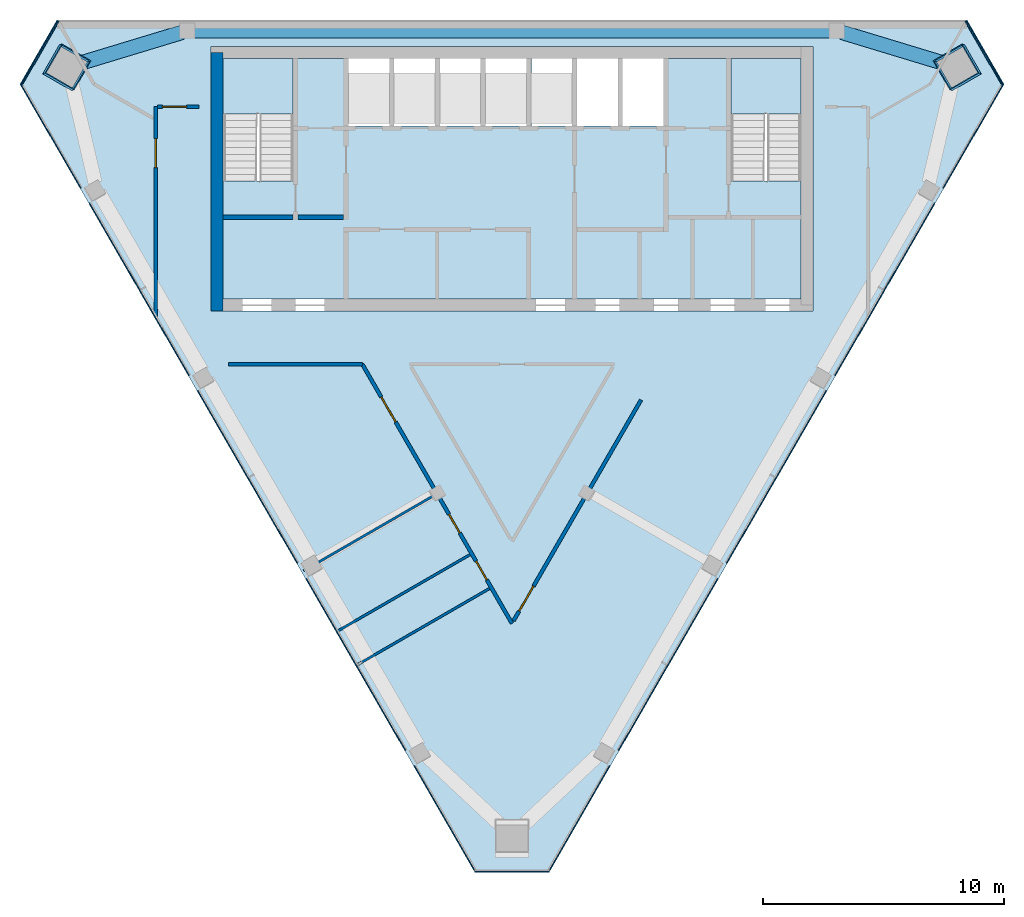
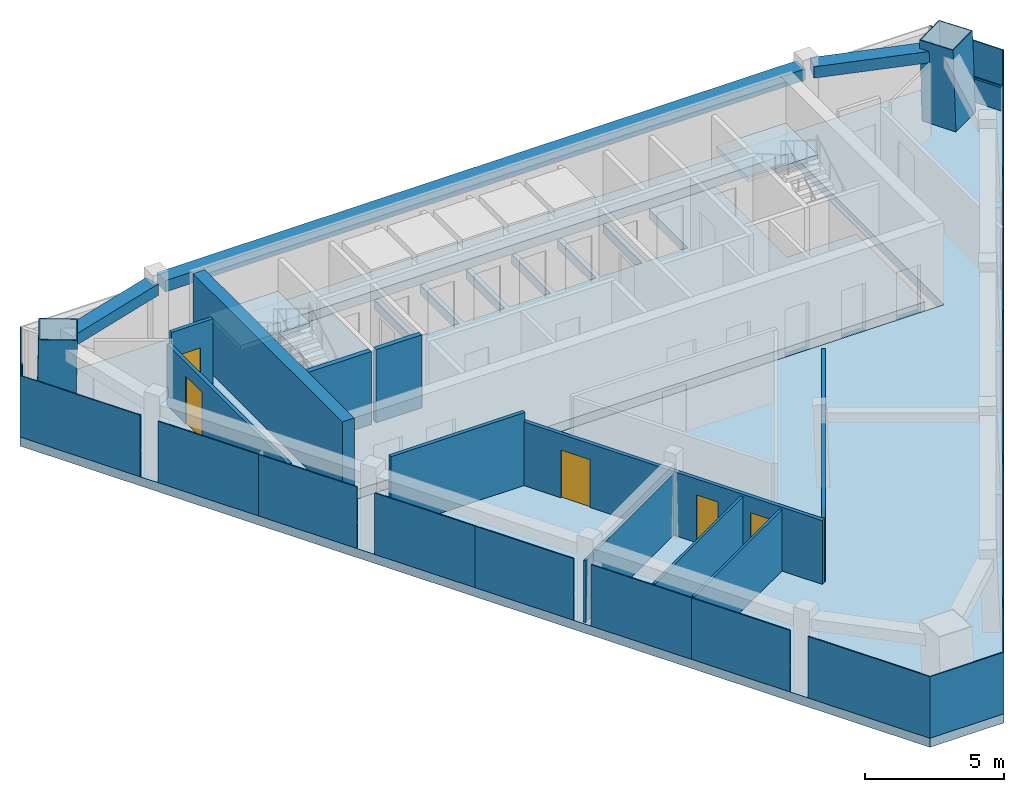
# One storey, part 5 of 9: 19 plates, 11 walls, 6 doors, 4 members, 4 slabs, 3 beams, 6 openings, 7 elements without a shape of their own.
"""IFC4 building model written with IfcOpenShell, lengths in metres."""

from ifc_helpers import new_model, si_unit, direction, frame, frame_2d, origin, origin_2d, place, context, subcontext, project, spatial, polyline, rectangle, hollow_rectangle, outline, extrude, material, layer, layer_set, material_profile, profile_set, type_object, element, fill, aggregate, save


model = new_model("IFC4")

# Units and contexts
model_context = context("Model", 3, precision=1e-05, world=origin(), true_north=direction((0.0, 1.0)))
body_context = subcontext(model_context, "Body", "Model", "MODEL_VIEW")
ifc_project = project(units=[si_unit("LENGTHUNIT", "METRE"), si_unit("AREAUNIT", "SQUARE_METRE"), si_unit("VOLUMEUNIT", "CUBIC_METRE"), si_unit("PLANEANGLEUNIT", "RADIAN"), si_unit("MASSUNIT", "GRAM", prefix="KILO")], contexts=[model_context])

# Site, building, storey
site_placement = place(None, origin())
site = spatial("IfcSite", under=ifc_project, at=site_placement, CompositionType="ELEMENT")
building_placement = place(site_placement, origin())
building = spatial("IfcBuilding", under=site, at=building_placement, Name="Altiplano Prism Tower", CompositionType="ELEMENT")
storey_placement = place(building_placement, frame((0.0, 0.0, 350.800048828125)))
storey = spatial("IfcBuildingStorey", under=building, at=storey_placement, Name="L91", CompositionType="ELEMENT", Elevation=350.800048828125)

# Curtain wall, member
ifc_material_1 = material(Name="Aluminium and glass", Category="aluminium")
ifc_layer_1 = layer(ifc_material_1, 0.303955078125)
ifc_layer_set_1 = layer_set([ifc_layer_1], Name="Aluminium and glass")
curtain_wall_type = type_object("IfcCurtainWallType", Name="CW2 lounge-band unitised glazing", PredefinedType="NOTDEFINED", material=ifc_layer_set_1)
curtain_wall_1_placement = place(storey_placement, origin())
curtain_wall_1 = element("IfcCurtainWall", 1, at=curtain_wall_1_placement, inside=storey, type_object=curtain_wall_type, Name="CW2 curtain wall north-west chamfer L91", PredefinedType="NOTDEFINED")
ifc_material_2 = material(Name="Aluminium", Category="aluminium")
ifc_material_profile_1 = material_profile(ifc_material_2, rectangle(XDim=0.06005859375, YDim=0.080078125, at=origin_2d()), Name="CW2 transom 80 x 60")
ifc_profile_set_1 = profile_set([ifc_material_profile_1], Name="Aluminium")
member_type_1 = type_object("IfcMemberType", Name="CW2 transom 80 x 60", PredefinedType="USERDEFINED", material=ifc_profile_set_1)
member_1_placement = place(storey_placement, frame((66.1572265625, 104.962890625, 1.099853515625), z_axis=(-0.500047557843, -0.86599794451, 0.0), x_axis=(0.86599794451, -0.500047557843, 0.0)))
member_1 = element("IfcMember", 2, at=member_1_placement, type_object=member_type_1, Name="CW2 transom", ObjectType="TRANSOM", PredefinedType="USERDEFINED", context=body_context, shape_type="SweptSolid", body=[
    extrude(rectangle(XDim=0.06005859375, YDim=0.080078125, at=origin_2d()), origin(), (0.0, 0.0, 1.0), 3.076904296875),
])

curtain_wall_2_placement = place(storey_placement, origin())
curtain_wall_2 = element("IfcCurtainWall", 3, at=curtain_wall_2_placement, inside=storey, type_object=curtain_wall_type, Name="CW2 curtain wall north-east chamfer L91", PredefinedType="NOTDEFINED")
member_2_placement = place(storey_placement, frame((105.38134765625, 102.29833984375, 1.099853515625), z_axis=(-0.500047557843, 0.86599794451, 0.0), x_axis=(-0.86599794451, -0.500047557843, 0.0)))
member_2 = element("IfcMember", 4, at=member_2_placement, type_object=member_type_1, Name="CW2 transom", ObjectType="TRANSOM", PredefinedType="USERDEFINED", context=body_context, shape_type="SweptSolid", body=[
    extrude(rectangle(XDim=0.06005859375, YDim=0.080078125, at=origin_2d()), origin(), (0.0, 0.0, 1.0), 3.076904296875),
])

# Beams
ifc_material_3 = material(Name="Concrete C60/75", Category="concrete")
ifc_material_profile_2 = material_profile(ifc_material_3, rectangle(XDim=0.60009765625, YDim=0.5, at=origin_2d()), Name="Edge beam 600x500")
ifc_profile_set_2 = profile_set([ifc_material_profile_2], Name="Concrete C60/75")
beam_type = type_object("IfcBeamType", Name="Edge beam 600x500", PredefinedType="SPANDREL", material=ifc_profile_set_2)
beam_1_placement = place(storey_placement, frame((103.017333984375, 103.181396484375, 2.949951171875), z_axis=(-0.957040371648, 0.289954698246, 0.0), x_axis=(-0.289954698246, -0.957040371648, 0.0)))
element("IfcBeam", 5, at=beam_1_placement, inside=storey, type_object=beam_type, Name="Edge beam M2-P01 L92", PredefinedType="SPANDREL", context=body_context, shape_type="SweptSolid", body=[
    extrude(rectangle(XDim=0.60009765625, YDim=0.5, at=origin_2d()), origin(), (0.0, 0.0, 1.0), 4.50048828125),
])
beam_2_placement = place(storey_placement, frame((98.294921875, 104.550048828125, 2.949951171875), z_axis=(-1.0, 0.0, 0.0), x_axis=(0.0, -1.0, 0.0)))
element("IfcBeam", 6, at=beam_2_placement, inside=storey, type_object=beam_type, Name="Edge beam P01-P04 L92", PredefinedType="SPANDREL", context=body_context, shape_type="SweptSolid", body=[
    extrude(rectangle(XDim=0.60009765625, YDim=0.5, at=origin_2d()), origin(), (0.0, 0.0, 1.0), 26.58984375),
])
beam_3_placement = place(storey_placement, frame((71.289794921875, 104.486328125, 2.949951171875), z_axis=(-0.957040371648, -0.289954698246, 0.0), x_axis=(0.289954698246, -0.957040371648, 0.0)))
element("IfcBeam", 7, at=beam_3_placement, inside=storey, type_object=beam_type, Name="Edge beam P04-M0 L92", PredefinedType="SPANDREL", context=body_context, shape_type="SweptSolid", body=[
    extrude(rectangle(XDim=0.60009765625, YDim=0.5, at=origin_2d()), origin(), (0.0, 0.0, 1.0), 4.50048828125),
])

# Members
ifc_material_4 = material(Name="Steel S460", Category="steel")
ifc_material_profile_3 = material_profile(ifc_material_4, hollow_rectangle(XDim=1.39990234375, YDim=1.39990234375, WallThickness=0.0400390625, at=origin_2d()), Name="Mega column tube 1400")
ifc_profile_set_3 = profile_set([ifc_material_profile_3], Name="Steel S460")
member_type_2 = type_object("IfcMemberType", Name="Mega column tube 1400", PredefinedType="POST", material=ifc_profile_set_3)
for number, where, z_axis, x_axis, name in (
    (8, (66.44970703125, 103.017578125, 0.0), (0.028403721265, 0.009287135593, 0.999553389135), (-0.866198986699, 0.499299819348, 0.019975130565), "Mega column tube M0 L91"),
    (9, (103.55029296875, 103.017578125, 0.0), (-0.028403721265, 0.009287135593, 0.999553389135), (0.498891314878, -0.866379500861, 0.022226480336), "Mega column tube M2 L91"),
):
    element("IfcMember", number, at=place(storey_placement, frame(where, z_axis=z_axis, x_axis=x_axis)), inside=storey, type_object=member_type_2, Name=name, PredefinedType="POST", context=body_context, shape_type="SweptSolid", body=[
        extrude(hollow_rectangle(XDim=1.39990234375, YDim=1.39990234375, WallThickness=0.0400390625, at=origin_2d()), origin(), (0.0, 0.0, 1.0), 3.6015625),
    ])

# Plate
ifc_material_5 = material(Name="Clear glass", Category="glass")
ifc_layer_2 = layer(ifc_material_5, 0.0439453125)
ifc_layer_set_2 = layer_set([ifc_layer_2], Name="Clear glass")
plate_type = type_object("IfcPlateType", Name="CW2 insulated glass unit 44", PredefinedType="CURTAIN_PANEL", material=ifc_layer_set_2)
plate_1_placement = place(storey_placement, frame((65.343017578125, 103.65673828125, 0.0), z_axis=(0.0, 0.0, 1.0), x_axis=(-0.50000002627, -0.866025388618, 0.0)))
plate_1 = element("IfcPlate", 10, at=plate_1_placement, type_object=plate_type, Name="CW2 panel", PredefinedType="CURTAIN_PANEL", context=body_context, shape_type="SweptSolid", body=[
    extrude(rectangle(XDim=3.06689453125, YDim=0.0439453125, at=origin_2d()), origin(), (0.0, 0.0, 1.0), 2.699951171875),
])

aggregate(curtain_wall_1, [member_1, plate_1])

# Curtain wall, plates
curtain_wall_3_placement = place(storey_placement, origin())
curtain_wall_3 = element("IfcCurtainWall", 11, at=curtain_wall_3_placement, inside=storey, type_object=curtain_wall_type, Name="CW2 curtain wall south-west face L91", PredefinedType="NOTDEFINED")
plate_2_placement = place(storey_placement, frame((65.82421875, 100.18017578125, 0.0), z_axis=(0.0, 0.0, 1.0), x_axis=(0.49999998945, -0.866025409876, 0.0)))
plate_2 = element("IfcPlate", 12, at=plate_2_placement, type_object=plate_type, Name="CW2 panel", PredefinedType="CURTAIN_PANEL", context=body_context, shape_type="SweptSolid", body=[
    extrude(rectangle(XDim=4.9921875, YDim=0.0439453125, at=origin_2d()), origin(), (0.0, 0.0, 1.0), 2.699951171875),
])
plate_3_placement = place(storey_placement, frame((68.4833984375, 95.57421875, 0.0), z_axis=(0.0, 0.0, 1.0), x_axis=(0.49999998945, -0.866025409876, 0.0)))
plate_3 = element("IfcPlate", 13, at=plate_3_placement, type_object=plate_type, Name="CW2 panel", PredefinedType="CURTAIN_PANEL", context=body_context, shape_type="SweptSolid", body=[
    extrude(rectangle(XDim=4.16455078125, YDim=0.0439453125, at=origin_2d()), origin(), (0.0, 0.0, 1.0), 2.699951171875),
])
plate_4_placement = place(storey_placement, frame((70.551025390625, 91.993408203125, 0.0), z_axis=(0.0, 0.0, 1.0), x_axis=(0.49999998945, -0.866025409876, 0.0)))
plate_4 = element("IfcPlate", 14, at=plate_4_placement, type_object=plate_type, Name="CW2 panel", PredefinedType="CURTAIN_PANEL", context=body_context, shape_type="SweptSolid", body=[
    extrude(rectangle(XDim=4.08544921875, YDim=0.0439453125, at=origin_2d()), origin(), (0.0, 0.0, 1.0), 2.699951171875),
])
plate_5_placement = place(storey_placement, frame((72.9833984375, 87.780029296875, 0.0), z_axis=(0.0, 0.0, 1.0), x_axis=(0.49999998945, -0.866025409876, 0.0)))
plate_5 = element("IfcPlate", 15, at=plate_5_placement, type_object=plate_type, Name="CW2 panel", PredefinedType="CURTAIN_PANEL", context=body_context, shape_type="SweptSolid", body=[
    extrude(rectangle(XDim=4.16455078125, YDim=0.0439453125, at=origin_2d()), origin(), (0.0, 0.0, 1.0), 2.699951171875),
])
plate_6_placement = place(storey_placement, frame((75.051025390625, 84.19921875, 0.0), z_axis=(0.0, 0.0, 1.0), x_axis=(0.49999998945, -0.866025409876, 0.0)))
plate_6 = element("IfcPlate", 16, at=plate_6_placement, type_object=plate_type, Name="CW2 panel", PredefinedType="CURTAIN_PANEL", context=body_context, shape_type="SweptSolid", body=[
    extrude(rectangle(XDim=4.08544921875, YDim=0.0439453125, at=origin_2d()), origin(), (0.0, 0.0, 1.0), 2.699951171875),
])
plate_7_placement = place(storey_placement, frame((77.4833984375, 79.98583984375, 0.0), z_axis=(0.0, 0.0, 1.0), x_axis=(0.49999998945, -0.866025409876, 0.0)))
plate_7 = element("IfcPlate", 17, at=plate_7_placement, type_object=plate_type, Name="CW2 panel", PredefinedType="CURTAIN_PANEL", context=body_context, shape_type="SweptSolid", body=[
    extrude(rectangle(XDim=4.16455078125, YDim=0.0439453125, at=origin_2d()), origin(), (0.0, 0.0, 1.0), 2.699951171875),
])
plate_8_placement = place(storey_placement, frame((79.551025390625, 76.40478515625, 0.0), z_axis=(0.0, 0.0, 1.0), x_axis=(0.49999998945, -0.866025409876, 0.0)))
plate_8 = element("IfcPlate", 18, at=plate_8_placement, type_object=plate_type, Name="CW2 panel", PredefinedType="CURTAIN_PANEL", context=body_context, shape_type="SweptSolid", body=[
    extrude(rectangle(XDim=4.08544921875, YDim=0.0439453125, at=origin_2d()), origin(), (0.0, 0.0, 1.0), 2.699951171875),
])
plate_9_placement = place(storey_placement, frame((82.210205078125, 71.798828125, 0.0), z_axis=(0.0, 0.0, 1.0), x_axis=(0.49999998945, -0.866025409876, 0.0)))
plate_9 = element("IfcPlate", 19, at=plate_9_placement, type_object=plate_type, Name="CW2 panel", PredefinedType="CURTAIN_PANEL", context=body_context, shape_type="SweptSolid", body=[
    extrude(rectangle(XDim=5.0712890625, YDim=0.0439453125, at=origin_2d()), origin(), (0.0, 0.0, 1.0), 2.699951171875),
])
aggregate(curtain_wall_3, [plate_2, plate_3, plate_4, plate_5, plate_6, plate_7, plate_8, plate_9])

# Curtain wall, plate
curtain_wall_4_placement = place(storey_placement, origin())
curtain_wall_4 = element("IfcCurtainWall", 20, at=curtain_wall_4_placement, inside=storey, type_object=curtain_wall_type, Name="CW2 curtain wall south chamfer L91", PredefinedType="NOTDEFINED")
plate_10_placement = place(storey_placement, frame((85.0, 69.609619140625, 0.0), z_axis=(0.0, 0.0, 1.0), x_axis=(1.0, 0.0, 0.0)))
plate_10 = element("IfcPlate", 21, at=plate_10_placement, type_object=plate_type, Name="CW2 panel", PredefinedType="CURTAIN_PANEL", context=body_context, shape_type="SweptSolid", body=[
    extrude(rectangle(XDim=3.06689453125, YDim=0.0439453125, at=origin_2d()), origin(), (0.0, 0.0, 1.0), 2.699951171875),
])
aggregate(curtain_wall_4, [plate_10])

# Curtain wall, plates
curtain_wall_5_placement = place(storey_placement, origin())
curtain_wall_5 = element("IfcCurtainWall", 22, at=curtain_wall_5_placement, inside=storey, type_object=curtain_wall_type, Name="CW2 curtain wall south-east face L91", PredefinedType="NOTDEFINED")
plate_11_placement = place(storey_placement, frame((87.789794921875, 71.798828125, 0.0), z_axis=(0.0, 0.0, 1.0), x_axis=(0.49999998945, 0.866025409876, 0.0)))
plate_11 = element("IfcPlate", 23, at=plate_11_placement, type_object=plate_type, Name="CW2 panel", PredefinedType="CURTAIN_PANEL", context=body_context, shape_type="SweptSolid", body=[
    extrude(rectangle(XDim=5.0712890625, YDim=0.0439453125, at=origin_2d()), origin(), (0.0, 0.0, 1.0), 2.699951171875),
])
plate_12_placement = place(storey_placement, frame((90.448974609375, 76.40478515625, 0.0), z_axis=(0.0, 0.0, 1.0), x_axis=(0.49999998945, 0.866025409876, 0.0)))
plate_12 = element("IfcPlate", 24, at=plate_12_placement, type_object=plate_type, Name="CW2 panel", PredefinedType="CURTAIN_PANEL", context=body_context, shape_type="SweptSolid", body=[
    extrude(rectangle(XDim=4.08544921875, YDim=0.0439453125, at=origin_2d()), origin(), (0.0, 0.0, 1.0), 2.699951171875),
])
plate_13_placement = place(storey_placement, frame((92.5166015625, 79.98583984375, 0.0), z_axis=(0.0, 0.0, 1.0), x_axis=(0.49999998945, 0.866025409876, 0.0)))
plate_13 = element("IfcPlate", 25, at=plate_13_placement, type_object=plate_type, Name="CW2 panel", PredefinedType="CURTAIN_PANEL", context=body_context, shape_type="SweptSolid", body=[
    extrude(rectangle(XDim=4.16455078125, YDim=0.0439453125, at=origin_2d()), origin(), (0.0, 0.0, 1.0), 2.699951171875),
])
plate_14_placement = place(storey_placement, frame((94.948974609375, 84.19921875, 0.0), z_axis=(0.0, 0.0, 1.0), x_axis=(0.49999998945, 0.866025409876, 0.0)))
plate_14 = element("IfcPlate", 26, at=plate_14_placement, type_object=plate_type, Name="CW2 panel", PredefinedType="CURTAIN_PANEL", context=body_context, shape_type="SweptSolid", body=[
    extrude(rectangle(XDim=4.08544921875, YDim=0.0439453125, at=origin_2d()), origin(), (0.0, 0.0, 1.0), 2.699951171875),
])
plate_15_placement = place(storey_placement, frame((97.0166015625, 87.780029296875, 0.0), z_axis=(0.0, 0.0, 1.0), x_axis=(0.49999998945, 0.866025409876, 0.0)))
plate_15 = element("IfcPlate", 27, at=plate_15_placement, type_object=plate_type, Name="CW2 panel", PredefinedType="CURTAIN_PANEL", context=body_context, shape_type="SweptSolid", body=[
    extrude(rectangle(XDim=4.16455078125, YDim=0.0439453125, at=origin_2d()), origin(), (0.0, 0.0, 1.0), 2.699951171875),
])
plate_16_placement = place(storey_placement, frame((99.448974609375, 91.993408203125, 0.0), z_axis=(0.0, 0.0, 1.0), x_axis=(0.49999998945, 0.866025409876, 0.0)))
plate_16 = element("IfcPlate", 28, at=plate_16_placement, type_object=plate_type, Name="CW2 panel", PredefinedType="CURTAIN_PANEL", context=body_context, shape_type="SweptSolid", body=[
    extrude(rectangle(XDim=4.08544921875, YDim=0.0439453125, at=origin_2d()), origin(), (0.0, 0.0, 1.0), 2.699951171875),
])
plate_17_placement = place(storey_placement, frame((101.5166015625, 95.57421875, 0.0), z_axis=(0.0, 0.0, 1.0), x_axis=(0.49999998945, 0.866025409876, 0.0)))
plate_17 = element("IfcPlate", 29, at=plate_17_placement, type_object=plate_type, Name="CW2 panel", PredefinedType="CURTAIN_PANEL", context=body_context, shape_type="SweptSolid", body=[
    extrude(rectangle(XDim=4.16455078125, YDim=0.0439453125, at=origin_2d()), origin(), (0.0, 0.0, 1.0), 2.699951171875),
])
plate_18_placement = place(storey_placement, frame((104.17578125, 100.18017578125, 0.0), z_axis=(0.0, 0.0, 1.0), x_axis=(0.49999998945, 0.866025409876, 0.0)))
plate_18 = element("IfcPlate", 30, at=plate_18_placement, type_object=plate_type, Name="CW2 panel", PredefinedType="CURTAIN_PANEL", context=body_context, shape_type="SweptSolid", body=[
    extrude(rectangle(XDim=4.9921875, YDim=0.0439453125, at=origin_2d()), origin(), (0.0, 0.0, 1.0), 2.699951171875),
])
aggregate(curtain_wall_5, [plate_11, plate_12, plate_13, plate_14, plate_15, plate_16, plate_17, plate_18])

# Plate
plate_19_placement = place(storey_placement, frame((104.656982421875, 103.65673828125, 0.0), z_axis=(0.0, 0.0, 1.0), x_axis=(-0.50000002627, 0.866025388618, 0.0)))
plate_19 = element("IfcPlate", 31, at=plate_19_placement, type_object=plate_type, Name="CW2 panel", PredefinedType="CURTAIN_PANEL", context=body_context, shape_type="SweptSolid", body=[
    extrude(rectangle(XDim=3.06689453125, YDim=0.0439453125, at=origin_2d()), origin(), (0.0, 0.0, 1.0), 2.699951171875),
])

aggregate(curtain_wall_2, [member_2, plate_19])

# Slabs
ifc_material_6 = material(Name="Concrete C40/50", Category="concrete")
ifc_layer_3 = layer(ifc_material_6, 0.39990234375)
ifc_layer_set_3 = layer_set([ifc_layer_3], Name="Concrete C40/50")
slab_type_1 = type_object("IfcSlabType", Name="Core floor slab 400", PredefinedType="FLOOR", material=ifc_layer_set_3)
slab_1_placement = place(storey_placement, frame((0.0, 0.0, -0.400146484375)))
element("IfcSlab", 32, at=slab_1_placement, inside=storey, type_object=slab_type_1, Name="Core floor slab L91", PredefinedType="FLOOR", context=body_context, shape_type="SweptSolid", body=[
    extrude(outline(polyline([(97.0, 98.31005859375), (94.10009765625, 98.31005859375), (94.10009765625, 103.39990234375), (91.300048828125, 103.39990234375), (91.300048828125, 100.60009765625), (89.60009765625, 100.60009765625), (89.60009765625, 103.39990234375), (89.39990234375, 103.39990234375), (89.39990234375, 100.60009765625), (87.699951171875, 100.60009765625), (87.699951171875, 103.39990234375), (87.5, 103.39990234375), (87.5, 100.60009765625), (85.800048828125, 100.60009765625), (85.800048828125, 103.39990234375), (85.60009765625, 103.39990234375), (85.60009765625, 100.60009765625), (83.89990234375, 100.60009765625), (83.89990234375, 103.39990234375), (83.699951171875, 103.39990234375), (83.699951171875, 100.60009765625), (82.0, 100.60009765625), (82.0, 103.39990234375), (81.800048828125, 103.39990234375), (81.800048828125, 100.60009765625), (80.10009765625, 100.60009765625), (80.10009765625, 103.39990234375), (79.89990234375, 103.39990234375), (79.89990234375, 100.60009765625), (78.199951171875, 100.60009765625), (78.199951171875, 103.39990234375), (75.89990234375, 103.39990234375), (75.89990234375, 98.31005859375), (73.0, 98.31005859375), (73.0, 93.39990234375), (97.0, 93.39990234375), (97.0, 98.31005859375)])), origin(), (0.0, 0.0, 1.0), 0.400146484375),
])
ifc_layer_4 = layer(ifc_material_6, 0.39990234375)
ifc_layer_set_4 = layer_set([ifc_layer_4], Name="Concrete C40/50")
slab_type_2 = type_object("IfcSlabType", Name="Post-tensioned flat slab 400", PredefinedType="FLOOR", material=ifc_layer_set_4)
slab_2_placement = place(storey_placement, frame((0.0, 0.0, -0.400146484375)))
element("IfcSlab", 33, at=slab_2_placement, inside=storey, type_object=slab_type_2, Name="Floor slab L91", PredefinedType="FLOOR", context=body_context, shape_type="SweptSolid", body=[
    extrude(outline(polyline([(105.4453125, 102.335205078125), (86.53857421875, 69.587646484375), (83.46142578125, 69.587646484375), (64.5546875, 102.335205078125), (66.09326171875, 105.0), (103.90673828125, 105.0), (105.4453125, 102.335205078125)]), holes=[polyline([(97.5, 92.89990234375), (97.5, 103.89990234375), (72.5, 103.89990234375), (72.5, 92.89990234375), (97.5, 92.89990234375)])]), origin(), (0.0, 0.0, 1.0), 0.400146484375),
])

# Stair, slab
stair_type = type_object("IfcStairType", Name="Exit stair 1400", PredefinedType="HALF_TURN_STAIR", material=ifc_material_6)
stair_1_placement = place(storey_placement, origin())
stair_1 = element("IfcStair", 34, at=stair_1_placement, inside=storey, type_object=stair_type, Name="L91 Exit Stair 1", PredefinedType="HALF_TURN_STAIR")
ifc_layer_5 = layer(ifc_material_6, 0.199951171875)
ifc_layer_set_5 = layer_set([ifc_layer_5], Name="Concrete C40/50")
slab_type_3 = type_object("IfcSlabType", Name="Stair landing 200", PredefinedType="LANDING", material=ifc_layer_set_5)
slab_3_placement = place(storey_placement, frame((0.0, 0.0, 1.599853515625)))
slab_3 = element("IfcSlab", 35, at=slab_3_placement, type_object=slab_type_3, Name="ST1 landing 1", PredefinedType="LANDING", context=body_context, shape_type="SweptSolid", body=[
    extrude(outline(polyline([(75.89990234375, 101.096923828125), (75.89990234375, 103.39990234375), (73.0, 103.39990234375), (73.0, 101.096923828125), (75.89990234375, 101.096923828125)])), origin(), (0.0, 0.0, 1.0), 0.2001953125),
])
aggregate(stair_1, [slab_3])

stair_2_placement = place(storey_placement, origin())
stair_2 = element("IfcStair", 36, at=stair_2_placement, inside=storey, type_object=stair_type, Name="L91 Exit Stair 2", PredefinedType="HALF_TURN_STAIR")
slab_4_placement = place(storey_placement, frame((0.0, 0.0, 1.599853515625)))
slab_4 = element("IfcSlab", 37, at=slab_4_placement, type_object=slab_type_3, Name="ST2 landing 1", PredefinedType="LANDING", context=body_context, shape_type="SweptSolid", body=[
    extrude(outline(polyline([(97.0, 101.096923828125), (97.0, 103.39990234375), (94.10009765625, 103.39990234375), (94.10009765625, 101.096923828125), (97.0, 101.096923828125)])), origin(), (0.0, 0.0, 1.0), 0.2001953125),
])
aggregate(stair_2, [slab_4])

# Walls
ifc_layer_6 = layer(ifc_material_3, 0.5)
ifc_layer_set_6 = layer_set([ifc_layer_6], Name="Concrete C60/75")
wall_type_1 = type_object("IfcWallType", Name="Core wall 500", PredefinedType="SHEAR", material=ifc_layer_set_6)
wall_1_placement = place(storey_placement, frame((72.75, 103.64990234375, 0.0), z_axis=(0.0, 0.0, 1.0), x_axis=(0.0, -1.0, 0.0)))
element("IfcWall", 38, at=wall_1_placement, inside=storey, type_object=wall_type_1, Name="Core wall W L91", PredefinedType="SHEAR", context=body_context, shape_type="SweptSolid", body=[
    extrude(rectangle(XDim=10.75, YDim=0.5, at=frame_2d((5.375, 0.0))), origin(), (0.0, 0.0, 1.0), 3.599853515625),
])
ifc_material_7 = material(Name="Plasterboard on steel stud", Category="steel")
ifc_layer_7 = layer(ifc_material_7, 0.10009765625)
ifc_layer_set_7 = layer_set([ifc_layer_7], Name="Plasterboard on steel stud")
wall_type_2 = type_object("IfcWallType", Name="Partition 100 wet", PredefinedType="PARTITIONING", material=ifc_layer_set_7)
wall_2_placement = place(storey_placement, frame((76.3447265625, 82.1142578125, 0.0), z_axis=(0.0, 0.0, 1.0), x_axis=(0.866015887322, 0.500016482634, 0.0)))
element("IfcWall", 39, at=wall_2_placement, inside=storey, type_object=wall_type_2, Name="Partition P03 L91 013", PredefinedType="PARTITIONING", context=body_context, shape_type="SweptSolid", body=[
    extrude(rectangle(XDim=6.324951171875, YDim=0.10009765625, at=frame_2d((3.16259765625, 0.0))), origin(), (0.0, 0.0, 1.0), 2.699951171875),
])
wall_3_placement = place(storey_placement, frame((77.768798828125, 79.615478515625, 0.0), z_axis=(0.0, 0.0, 1.0), x_axis=(0.866040690312, 0.499973522023, 0.0)))
element("IfcWall", 40, at=wall_3_placement, inside=storey, type_object=wall_type_2, Name="Partition P03 L91 014", PredefinedType="PARTITIONING", context=body_context, shape_type="SweptSolid", body=[
    extrude(rectangle(XDim=6.341064453125, YDim=0.10009765625, at=frame_2d((3.17041015625, 0.0))), origin(), (0.0, 0.0, 1.0), 2.699951171875),
])
wall_4_placement = place(storey_placement, frame((78.5947265625, 78.21728515625, 0.0), z_axis=(0.0, 0.0, 1.0), x_axis=(0.866032601554, 0.49998753289, 0.0)))
element("IfcWall", 41, at=wall_4_placement, inside=storey, type_object=wall_type_2, Name="Partition P03 L91 015", PredefinedType="PARTITIONING", context=body_context, shape_type="SweptSolid", body=[
    extrude(rectangle(XDim=6.324951171875, YDim=0.10009765625, at=frame_2d((3.16259765625, 0.0))), origin(), (0.0, 0.0, 1.0), 2.699951171875),
])

# Wall, opening, door
ifc_layer_8 = layer(ifc_material_7, 0.14990234375)
ifc_layer_set_8 = layer_set([ifc_layer_8], Name="Plasterboard on steel stud")
wall_type_3 = type_object("IfcWallType", Name="Partition 150 corridor", PredefinedType="PARTITIONING", material=ifc_layer_set_8)
wall_5_placement = place(storey_placement, frame((70.19970703125, 101.40087890625, 0.0), z_axis=(0.0, 0.0, 1.0), x_axis=(2.8011989e-05, -0.999999999608, 0.0)))
wall_5 = element("IfcWall", 42, at=wall_5_placement, inside=storey, type_object=wall_type_3, Name="Partition P06 L91 001", PredefinedType="PARTITIONING", context=body_context, shape_type="SweptSolid", body=[
    extrude(rectangle(XDim=8.715576171875, YDim=0.14990234375, at=frame_2d((4.35791015625, 0.0))), origin(), (0.0, 0.0, 1.0), 2.699951171875),
])
opening_1_placement = place(wall_5_placement, frame((1.3310546875, 0.0, 0.0)))
opening_1 = element("IfcOpeningElement", 43, at=opening_1_placement, cuts=wall_5, Name="Opening D2531", PredefinedType="OPENING", context=body_context, shape_type="SweptSolid", body=[
    extrude(rectangle(XDim=1.199951171875, YDim=2.10009765625, at=frame_2d((0.60009765625, 1.050048828125))), frame((0.0, 0.08544921875, 0.0), z_axis=(0.0, -1.0, 0.0), x_axis=(1.0, 0.0, 0.0)), (0.0, 0.0, 1.0), 0.1708984375),
])
ifc_material_8 = material(Name="Timber", Category="wood")
door_type_1 = type_object("IfcDoorType", Name="Shared room door 1200 x 2100", OperationType="NOTDEFINED", PredefinedType="NOTDEFINED", material=ifc_material_8)
door_1_placement = place(opening_1_placement, origin())
door_1 = element("IfcDoor", 44, at=door_1_placement, inside=storey, type_object=door_type_1, Name="Door D2531", OperationType="SINGLE_SWING_RIGHT", OverallHeight=2.10009765625, OverallWidth=1.199951171875, PredefinedType="NOTDEFINED", context=body_context, shape_type="SweptSolid", body=[
    extrude(rectangle(XDim=1.199951171875, YDim=2.10009765625, at=frame_2d((0.60009765625, 1.050048828125))), frame((0.0, 0.02490234375, 0.0), z_axis=(0.0, -1.0, 0.0), x_axis=(1.0, 0.0, 0.0)), (0.0, 0.0, 1.0), 0.050048828125),
])
fill(opening_1, door_1)

# Wall
wall_6_placement = place(storey_placement, frame((73.215576171875, 90.699951171875, 0.0), z_axis=(0.0, 0.0, 1.0), x_axis=(1.0, 0.0, 0.0)))
element("IfcWall", 45, at=wall_6_placement, inside=storey, type_object=wall_type_3, Name="Partition P06 L91 002", PredefinedType="PARTITIONING", context=body_context, shape_type="SweptSolid", body=[
    extrude(rectangle(XDim=5.562255859375, YDim=0.14990234375, at=frame_2d((2.78125, 0.0))), origin(), (0.0, 0.0, 1.0), 3.199951171875),
])

# Wall, openings, doors
wall_7_placement = place(storey_placement, frame((78.77783203125, 90.699951171875, 0.0), z_axis=(0.0, 0.0, 1.0), x_axis=(0.500000398265, -0.866025173846, 0.0)))
wall_7 = element("IfcWall", 46, at=wall_7_placement, inside=storey, type_object=wall_type_3, Name="Partition P06 L91 003", PredefinedType="PARTITIONING", context=body_context, shape_type="SweptSolid", body=[
    extrude(rectangle(XDim=12.4443359375, YDim=0.14990234375, at=frame_2d((6.22216796875, 0.0))), origin(), (0.0, 0.0, 1.0), 2.800048828125),
])
opening_2_placement = place(wall_7_placement, frame((1.5810546875, 0.0, 0.0)))
opening_2 = element("IfcOpeningElement", 47, at=opening_2_placement, cuts=wall_7, Name="Opening D2532", PredefinedType="OPENING", context=body_context, shape_type="SweptSolid", body=[
    extrude(rectangle(XDim=1.199951171875, YDim=2.10009765625, at=frame_2d((0.60009765625, 1.050048828125))), frame((0.0, 0.08544921875, 0.0), z_axis=(0.0, -1.0, 0.0), x_axis=(1.0, 0.0, 0.0)), (0.0, 0.0, 1.0), 0.1708984375),
])
opening_3_placement = place(wall_7_placement, frame((7.20703125, 0.0, 0.0)))
opening_3 = element("IfcOpeningElement", 48, at=opening_3_placement, cuts=wall_7, Name="Opening D2533", PredefinedType="OPENING", context=body_context, shape_type="SweptSolid", body=[
    extrude(rectangle(XDim=0.89990234375, YDim=2.10009765625, at=frame_2d((0.449951171875, 1.050048828125))), frame((0.0, 0.08544921875, 0.0), z_axis=(0.0, -1.0, 0.0), x_axis=(1.0, 0.0, 0.0)), (0.0, 0.0, 1.0), 0.1708984375),
])
opening_4_placement = place(wall_7_placement, frame((9.45703125, 0.0, 0.0)))
opening_4 = element("IfcOpeningElement", 49, at=opening_4_placement, cuts=wall_7, Name="Opening D2534", PredefinedType="OPENING", context=body_context, shape_type="SweptSolid", body=[
    extrude(rectangle(XDim=0.89990234375, YDim=2.10009765625, at=frame_2d((0.449951171875, 1.050048828125))), frame((0.0, 0.08544921875, 0.0), z_axis=(0.0, -1.0, 0.0), x_axis=(1.0, 0.0, 0.0)), (0.0, 0.0, 1.0), 0.1708984375),
])
door_2_placement = place(opening_2_placement, origin())
door_2 = element("IfcDoor", 50, at=door_2_placement, inside=storey, type_object=door_type_1, Name="Door D2532", OperationType="SINGLE_SWING_RIGHT", OverallHeight=2.10009765625, OverallWidth=1.199951171875, PredefinedType="NOTDEFINED", context=body_context, shape_type="SweptSolid", body=[
    extrude(rectangle(XDim=1.199951171875, YDim=2.10009765625, at=frame_2d((0.60009765625, 1.050048828125))), frame((0.0, 0.02490234375, 0.0), z_axis=(0.0, -1.0, 0.0), x_axis=(1.0, 0.0, 0.0)), (0.0, 0.0, 1.0), 0.050048828125),
])
fill(opening_2, door_2)
door_type_2 = type_object("IfcDoorType", Name="Toilet door 900 x 2100", OperationType="NOTDEFINED", PredefinedType="NOTDEFINED", material=ifc_material_8)
door_3_placement = place(opening_3_placement, origin())
door_3 = element("IfcDoor", 51, at=door_3_placement, inside=storey, type_object=door_type_2, Name="Door D2533", OperationType="SINGLE_SWING_LEFT", OverallHeight=2.10009765625, OverallWidth=0.89990234375, PredefinedType="NOTDEFINED", context=body_context, shape_type="SweptSolid", body=[
    extrude(rectangle(XDim=0.89990234375, YDim=2.10009765625, at=frame_2d((0.449951171875, 1.050048828125))), frame((0.0, 0.02490234375, 0.0), z_axis=(0.0, -1.0, 0.0), x_axis=(1.0, 0.0, 0.0)), (0.0, 0.0, 1.0), 0.050048828125),
])
fill(opening_3, door_3)
door_4_placement = place(opening_4_placement, origin())
door_4 = element("IfcDoor", 52, at=door_4_placement, inside=storey, type_object=door_type_2, Name="Door D2534", OperationType="SINGLE_SWING_RIGHT", OverallHeight=2.10009765625, OverallWidth=0.89990234375, PredefinedType="NOTDEFINED", context=body_context, shape_type="SweptSolid", body=[
    extrude(rectangle(XDim=0.89990234375, YDim=2.10009765625, at=frame_2d((0.449951171875, 1.050048828125))), frame((0.0, 0.02490234375, 0.0), z_axis=(0.0, -1.0, 0.0), x_axis=(1.0, 0.0, 0.0)), (0.0, 0.0, 1.0), 0.050048828125),
])
fill(opening_4, door_4)

# Wall, opening, door
wall_8_placement = place(storey_placement, frame((85.06494140625, 80.035400390625, 0.0), z_axis=(0.0, 0.0, 1.0), x_axis=(0.500005013853, 0.866022509016, 0.0)))
wall_8 = element("IfcWall", 53, at=wall_8_placement, inside=storey, type_object=wall_type_3, Name="Partition P06 L91 004", PredefinedType="PARTITIONING", context=body_context, shape_type="SweptSolid", body=[
    extrude(rectangle(XDim=10.595703125, YDim=0.14990234375, at=frame_2d((5.2978515625, 0.0))), origin(), (0.0, 0.0, 1.0), 2.800048828125),
])
opening_5_placement = place(wall_8_placement, frame((0.4609375, 0.0, 0.0)))
opening_5 = element("IfcOpeningElement", 54, at=opening_5_placement, cuts=wall_8, Name="Opening D2535", PredefinedType="OPENING", context=body_context, shape_type="SweptSolid", body=[
    extrude(rectangle(XDim=1.199951171875, YDim=2.10009765625, at=frame_2d((0.60009765625, 1.050048828125))), frame((0.0, 0.08544921875, 0.0), z_axis=(0.0, -1.0, 0.0), x_axis=(1.0, 0.0, 0.0)), (0.0, 0.0, 1.0), 0.1708984375),
])
door_5_placement = place(opening_5_placement, origin())
door_5 = element("IfcDoor", 55, at=door_5_placement, inside=storey, type_object=door_type_1, Name="Door D2535", OperationType="SINGLE_SWING_LEFT", OverallHeight=2.10009765625, OverallWidth=1.199951171875, PredefinedType="NOTDEFINED", context=body_context, shape_type="SweptSolid", body=[
    extrude(rectangle(XDim=1.199951171875, YDim=2.10009765625, at=frame_2d((0.60009765625, 1.050048828125))), frame((0.0, 0.02490234375, 0.0), z_axis=(0.0, -1.0, 0.0), x_axis=(1.0, 0.0, 0.0)), (0.0, 0.0, 1.0), 0.050048828125),
])
fill(opening_5, door_5)

wall_9_placement = place(storey_placement, frame((72.0, 101.40087890625, 0.0), z_axis=(0.0, 0.0, 1.0), x_axis=(-1.0, 0.0, 0.0)))
wall_9 = element("IfcWall", 56, at=wall_9_placement, inside=storey, type_object=wall_type_3, Name="Partition P06 L91 010", PredefinedType="PARTITIONING", context=body_context, shape_type="SweptSolid", body=[
    extrude(rectangle(XDim=1.725341796875, YDim=0.14990234375, at=frame_2d((0.86279296875, 0.0))), origin(), (0.0, 0.0, 1.0), 3.199951171875),
])
opening_6_placement = place(wall_9_placement, frame((0.52490234375, 0.0, 0.0)))
opening_6 = element("IfcOpeningElement", 57, at=opening_6_placement, cuts=wall_9, Name="Opening D2539", PredefinedType="OPENING", context=body_context, shape_type="SweptSolid", body=[
    extrude(rectangle(XDim=1.0, YDim=2.10009765625, at=frame_2d((0.5, 1.050048828125))), frame((0.0, 0.08544921875, 0.0), z_axis=(0.0, -1.0, 0.0), x_axis=(1.0, 0.0, 0.0)), (0.0, 0.0, 1.0), 0.1708984375),
])
door_type_3 = type_object("IfcDoorType", Name="Store door 1000 x 2100", OperationType="NOTDEFINED", PredefinedType="NOTDEFINED", material=ifc_material_8)
door_6_placement = place(opening_6_placement, origin())
door_6 = element("IfcDoor", 58, at=door_6_placement, inside=storey, type_object=door_type_3, Name="Door D2539", OperationType="SINGLE_SWING_LEFT", OverallHeight=2.10009765625, OverallWidth=1.0, PredefinedType="NOTDEFINED", context=body_context, shape_type="SweptSolid", body=[
    extrude(rectangle(XDim=1.0, YDim=2.10009765625, at=frame_2d((0.5, 1.050048828125))), frame((0.0, 0.02490234375, 0.0), z_axis=(0.0, -1.0, 0.0), x_axis=(1.0, 0.0, 0.0)), (0.0, 0.0, 1.0), 0.050048828125),
])
fill(opening_6, door_6)

# Walls
ifc_layer_9 = layer(ifc_material_3, 0.199951171875)
ifc_layer_set_9 = layer_set([ifc_layer_9], Name="Concrete C60/75")
wall_type_4 = type_object("IfcWallType", Name="Stair wall 200", PredefinedType="SOLIDWALL", material=ifc_layer_set_9)
wall_10_placement = place(storey_placement, frame((73.0, 96.800048828125, 0.0), z_axis=(0.0, 0.0, 1.0), x_axis=(1.0, 0.0, 0.0)))
element("IfcWall", 59, at=wall_10_placement, inside=storey, type_object=wall_type_4, Name="Stair wall L91", PredefinedType="SOLIDWALL", context=body_context, shape_type="SweptSolid", body=[
    extrude(rectangle(XDim=2.89990234375, YDim=0.199951171875, at=frame_2d((1.449951171875, 0.0))), origin(), (0.0, 0.0, 1.0), 3.199951171875),
])
ifc_layer_10 = layer(ifc_material_3, 0.199951171875)
ifc_layer_set_10 = layer_set([ifc_layer_10], Name="Concrete C60/75")
wall_type_5 = type_object("IfcWallType", Name="Vestibule wall 200", PredefinedType="PARTITIONING", material=ifc_layer_set_10)
wall_11_placement = place(storey_placement, frame((76.10009765625, 96.800048828125, 0.0), z_axis=(0.0, 0.0, 1.0), x_axis=(1.0, 0.0, 0.0)))
element("IfcWall", 60, at=wall_11_placement, inside=storey, type_object=wall_type_5, Name="Vestibule wall L91", PredefinedType="PARTITIONING", context=body_context, shape_type="SweptSolid", body=[
    extrude(rectangle(XDim=1.89990234375, YDim=0.199951171875, at=frame_2d((0.949951171875, 0.0))), origin(), (0.0, 0.0, 1.0), 3.199951171875),
])

save(model, "model.ifc")
